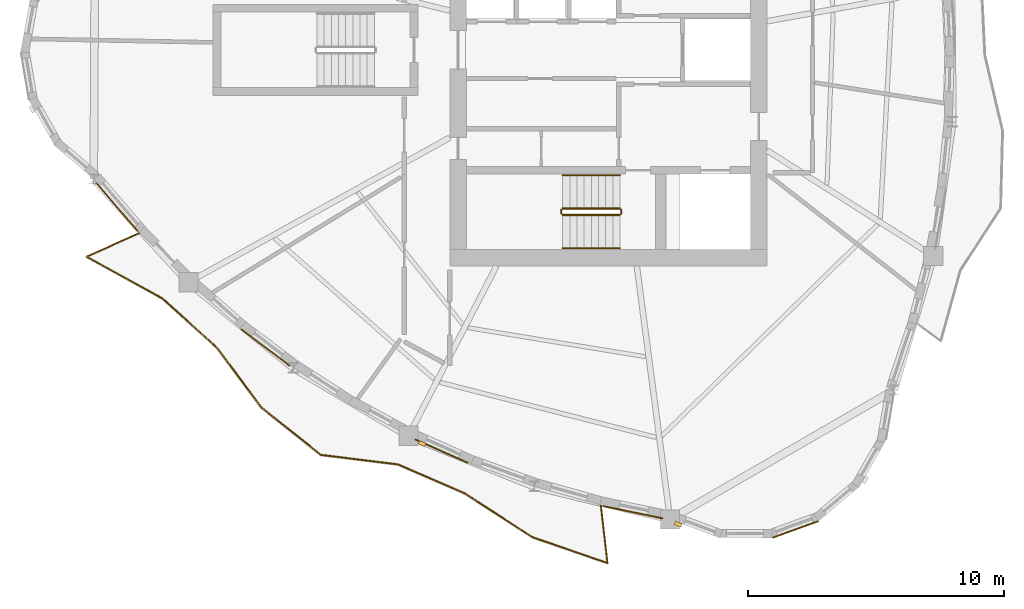
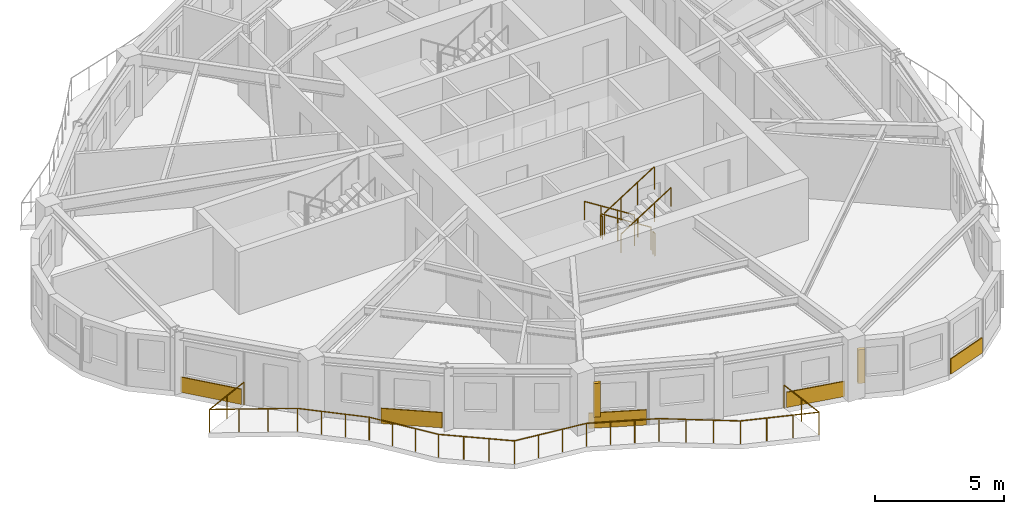
# One storey, part 9 of 12: 7 railings, 5 coverings, 2 shading devices.
"""IFC4 building model written with IfcOpenShell, lengths in metres."""

from ifc_helpers import new_model, si_unit, direction, frame, origin, origin_2d, place, context, subcontext, project, spatial, rectangle, circle, extrude, source, transform, mapped, material, layer, layer_set, type_object, element, save


model = new_model("IFC4")

# Units and contexts
model_context = context("Model", 3, precision=1e-05, world=origin(), true_north=direction((0.0, 1.0)))
body_context = subcontext(model_context, "Body", "Model", "MODEL_VIEW")
ifc_project = project(units=[si_unit("LENGTHUNIT", "METRE"), si_unit("AREAUNIT", "SQUARE_METRE"), si_unit("VOLUMEUNIT", "CUBIC_METRE"), si_unit("PLANEANGLEUNIT", "RADIAN"), si_unit("MASSUNIT", "GRAM", prefix="KILO")], contexts=[model_context])

# Site, building, storey
site_placement = place(None, origin())
site = spatial("IfcSite", under=ifc_project, at=site_placement, CompositionType="ELEMENT")
building_placement = place(site_placement, origin())
building = spatial("IfcBuilding", under=site, at=building_placement, Name="Qafzar Sky-Pleat Residences", CompositionType="ELEMENT")
storey_placement = place(building_placement, frame((0.0, 0.0, 177.800048828125)))
storey = spatial("IfcBuildingStorey", under=building, at=storey_placement, Name="L53", CompositionType="ELEMENT", Elevation=177.800048828125)

# Shading devices
ifc_material_1 = material(Name="Honed Riyadh limestone solar fin", Category="masonry")
ifc_layer_1 = layer(ifc_material_1, 0.139892578125)
ifc_layer_set_1 = layer_set([ifc_layer_1], Name="Honed Riyadh limestone solar fin")
shading_device_type = type_object("IfcShadingDeviceType", Name="SHD-FIN-STONE", PredefinedType="SHUTTER", material=ifc_layer_set_1)
shared_shape_1 = source(origin(), body_context, "Body", "SweptSolid", [
    extrude(rectangle(XDim=0.139892578125, YDim=0.280029296875, at=origin_2d()), origin(), (0.0, 0.0, 1.0), 1.60009765625),
])
for number, where, z_axis, x_axis, name in (
    (1, (23.06689453125, 10.6083984375, 0.599853515625), (0.0, 0.0, 1.0), (-0.407572231376, -0.913172971683, 0.0), "L53 Limestone Solar Fin 13"),
    (2, (33.074462890625, 7.46435546875, 0.599853515625), (0.0, 0.0, 1.0), (-0.349602764616, -0.936898023785, 0.0), "L53 Limestone Solar Fin 17"),
):
    element("IfcShadingDevice", number, at=place(storey_placement, frame(where, z_axis=z_axis, x_axis=x_axis)), inside=storey, type_object=shading_device_type, Name=name, PredefinedType="SHUTTER", context=body_context, shape_type="MappedRepresentation", body=[
        mapped(shared_shape_1, transform((0.0, 0.0, 0.0), x_axis=(1.0, 0.0, 0.0), y_axis=(0.0, 1.0, 0.0), z_axis=(0.0, 0.0, 1.0), scale=1.0)),
    ])

# Covering
ifc_material_2 = material(Name="Honed Riyadh Tuwaiq limestone cladding", Category="masonry")
ifc_layer_2 = layer(ifc_material_2, 0.044921875)
ifc_layer_set_2 = layer_set([ifc_layer_2], Name="Honed Riyadh Tuwaiq limestone cladding")
covering_type = type_object("IfcCoveringType", Name="COV-CLAD-STONE", PredefinedType="CLADDING", material=ifc_layer_set_2)
shared_shape_2 = source(origin(), body_context, "Body", "SweptSolid", [
    extrude(rectangle(XDim=1.89794921875, YDim=0.044921875, at=origin_2d()), origin(), (0.0, 0.0, 1.0), 0.719970703125),
])
covering_1_placement = place(storey_placement, frame((37.662353515625, 7.255126953125, 0.02001953125), z_axis=(0.0, 0.0, 1.0), x_axis=(0.940237058311, 0.340520592886, 0.0)))
element("IfcCovering", 3, at=covering_1_placement, inside=storey, type_object=covering_type, Name="L53 Riyadh Limestone Spandrel Cladding 19", PredefinedType="CLADDING", context=body_context, shape_type="MappedRepresentation", body=[
    mapped(shared_shape_2, transform((0.0, 0.0, 0.0), x_axis=(1.0, 0.0, 0.0), y_axis=(0.0, 1.0, 0.0), z_axis=(0.0, 0.0, 1.0), scale=1.0)),
])

# Railing
ifc_material_3 = material(Name="Laminated glass and bronze steel balustrade", Category="steel")
railing_type_1 = type_object("IfcRailingType", Name="RAIL-BAL-1100", PredefinedType="BALUSTRADE", material=ifc_material_3)
shared_shape_3 = source(origin(), body_context, "Body", "SweptSolid", [
    extrude(circle(Radius=0.02392578125, at=origin_2d()), frame((0.0, 0.0, 1.076171875), z_axis=(-0.912628302889, -0.408790387321, 0.0), x_axis=(0.408790387321, -0.912628302889, 0.0)), (0.0, 0.0, 1.0), 2.270751953125),
    extrude(circle(Radius=0.02392578125, at=origin_2d()), frame((-2.072265625, -0.92822265625, 1.076171875), z_axis=(0.876088688063, -0.482149987709, 0.0), x_axis=(0.482149987709, 0.876088688063, 0.0)), (0.0, 0.0, 1.0), 3.404296875),
    extrude(circle(Radius=0.02392578125, at=origin_2d()), frame((0.91015625, -2.569580078125, 1.076171875), z_axis=(0.742479428392, -0.669868866581, 0.0), x_axis=(0.669868866581, 0.742479428392, 0.0)), (0.0, 0.0, 1.0), 2.847900390625),
    extrude(circle(Radius=0.02392578125, at=origin_2d()), frame((3.024658203125, -4.477294921875, 1.076171875), z_axis=(0.596314764926, -0.802750709206, 0.0), x_axis=(0.802750709206, 0.596314764926, 0.0)), (0.0, 0.0, 1.0), 2.919921875),
    extrude(circle(Radius=0.02392578125, at=origin_2d()), frame((4.765869140625, -6.8212890625, 1.076171875), z_axis=(0.782537513301, -0.622603437411, 0.0), x_axis=(0.622603437411, 0.782537513301, 0.0)), (0.0, 0.0, 1.0), 2.978271484375),
    extrude(circle(Radius=0.02392578125, at=origin_2d()), frame((7.096435546875, -8.675537109375, 1.076171875), z_axis=(0.992462216808, -0.12255100248, 0.0), x_axis=(0.12255100248, 0.992462216808, 0.0)), (0.0, 0.0, 1.0), 3.0380859375),
    extrude(circle(Radius=0.02392578125, at=origin_2d()), frame((10.111572265625, -9.0478515625, 1.076171875), z_axis=(0.917327123061, -0.398134335742, 0.0), x_axis=(0.398134335742, 0.917327123061, 0.0)), (0.0, 0.0, 1.0), 2.8212890625),
    extrude(circle(Radius=0.02392578125, at=origin_2d()), frame((12.69970703125, -10.171142578125, 1.076171875), z_axis=(0.839716807714, -0.54302456928, 0.0), x_axis=(0.54302456928, 0.839716807714, 0.0)), (0.0, 0.0, 1.0), 3.170654296875),
    extrude(circle(Radius=0.02392578125, at=origin_2d()), frame((15.362060546875, -11.892822265625, 1.076171875), z_axis=(0.945528451343, -0.325539471802, 0.0), x_axis=(0.325539471802, 0.945528451343, 0.0)), (0.0, 0.0, 1.0), 3.101806640625),
    extrude(circle(Radius=0.02392578125, at=origin_2d()), frame((18.294921875, -12.902587890625, 1.076171875), z_axis=(-0.114701632597, 0.993399987658, 0.0), x_axis=(-0.993399987658, -0.114701632597, 0.0)), (0.0, 0.0, 1.0), 2.27099609375),
    extrude(circle(Radius=0.02099609375, at=origin_2d()), origin(), (0.0, 0.0, 1.0), 1.052001953125),
    extrude(circle(Radius=0.02099609375, at=origin_2d()), frame((-1.0361328125, -0.464111328125, 0.0)), (0.0, 0.0, 1.0), 1.052001953125),
    extrude(circle(Radius=0.02099609375, at=origin_2d()), frame((-2.072265625, -0.92822265625, 0.0)), (0.0, 0.0, 1.0), 1.052001953125),
    extrude(circle(Radius=0.02099609375, at=origin_2d()), frame((-1.078125, -1.475341796875, 0.0)), (0.0, 0.0, 1.0), 1.052001953125),
    extrude(circle(Radius=0.02099609375, at=origin_2d()), frame((-0.083984375, -2.0224609375, 0.0)), (0.0, 0.0, 1.0), 1.052001953125),
    extrude(circle(Radius=0.02099609375, at=origin_2d()), frame((0.91015625, -2.569580078125, 0.0)), (0.0, 0.0, 1.0), 1.052001953125),
    extrude(circle(Radius=0.02099609375, at=origin_2d()), frame((1.614990234375, -3.20556640625, 0.0)), (0.0, 0.0, 1.0), 1.052001953125),
    extrude(circle(Radius=0.02099609375, at=origin_2d()), frame((2.31982421875, -3.84130859375, 0.0)), (0.0, 0.0, 1.0), 1.052001953125),
    extrude(circle(Radius=0.02099609375, at=origin_2d()), frame((3.024658203125, -4.477294921875, 0.0)), (0.0, 0.0, 1.0), 1.052001953125),
    extrude(circle(Radius=0.02099609375, at=origin_2d()), frame((3.60498046875, -5.258544921875, 0.0)), (0.0, 0.0, 1.0), 1.052001953125),
    extrude(circle(Radius=0.02099609375, at=origin_2d()), frame((4.185546875, -6.0400390625, 0.0)), (0.0, 0.0, 1.0), 1.052001953125),
    extrude(circle(Radius=0.02099609375, at=origin_2d()), frame((4.765869140625, -6.8212890625, 0.0)), (0.0, 0.0, 1.0), 1.052001953125),
    extrude(circle(Radius=0.02099609375, at=origin_2d()), frame((5.542724609375, -7.439453125, 0.0)), (0.0, 0.0, 1.0), 1.052001953125),
    extrude(circle(Radius=0.02099609375, at=origin_2d()), frame((6.319580078125, -8.057373046875, 0.0)), (0.0, 0.0, 1.0), 1.052001953125),
    extrude(circle(Radius=0.02099609375, at=origin_2d()), frame((7.096435546875, -8.675537109375, 0.0)), (0.0, 0.0, 1.0), 1.052001953125),
    extrude(circle(Radius=0.02099609375, at=origin_2d()), frame((8.1015625, -8.799560546875, 0.0)), (0.0, 0.0, 1.0), 1.052001953125),
    extrude(circle(Radius=0.02099609375, at=origin_2d()), frame((9.1064453125, -8.923828125, 0.0)), (0.0, 0.0, 1.0), 1.052001953125),
    extrude(circle(Radius=0.02099609375, at=origin_2d()), frame((10.111572265625, -9.0478515625, 0.0)), (0.0, 0.0, 1.0), 1.052001953125),
    extrude(circle(Radius=0.02099609375, at=origin_2d()), frame((10.974365234375, -9.42236328125, 0.0)), (0.0, 0.0, 1.0), 1.052001953125),
    extrude(circle(Radius=0.02099609375, at=origin_2d()), frame((11.8369140625, -9.796630859375, 0.0)), (0.0, 0.0, 1.0), 1.052001953125),
    extrude(circle(Radius=0.02099609375, at=origin_2d()), frame((12.69970703125, -10.171142578125, 0.0)), (0.0, 0.0, 1.0), 1.052001953125),
    extrude(circle(Radius=0.02099609375, at=origin_2d()), frame((13.587158203125, -10.7451171875, 0.0)), (0.0, 0.0, 1.0), 1.052001953125),
    extrude(circle(Radius=0.02099609375, at=origin_2d()), frame((14.474609375, -11.31884765625, 0.0)), (0.0, 0.0, 1.0), 1.052001953125),
    extrude(circle(Radius=0.02099609375, at=origin_2d()), frame((15.362060546875, -11.892822265625, 0.0)), (0.0, 0.0, 1.0), 1.052001953125),
    extrude(circle(Radius=0.02099609375, at=origin_2d()), frame((16.339599609375, -12.2294921875, 0.0)), (0.0, 0.0, 1.0), 1.052001953125),
    extrude(circle(Radius=0.02099609375, at=origin_2d()), frame((17.3173828125, -12.56591796875, 0.0)), (0.0, 0.0, 1.0), 1.052001953125),
    extrude(circle(Radius=0.02099609375, at=origin_2d()), frame((18.294921875, -12.902587890625, 0.0)), (0.0, 0.0, 1.0), 1.052001953125),
    extrude(circle(Radius=0.02099609375, at=origin_2d()), frame((18.16455078125, -11.7744140625, 0.0)), (0.0, 0.0, 1.0), 1.052001953125),
    extrude(circle(Radius=0.02099609375, at=origin_2d()), frame((18.034423828125, -10.646484375, 0.0)), (0.0, 0.0, 1.0), 1.052001953125),
])
railing_1_placement = place(storey_placement, frame((12.021484375, 18.844482421875, 0.0)))
element("IfcRailing", 4, at=railing_1_placement, inside=storey, type_object=railing_type_1, Name="L53 Pleated Balcony 3 Balustrade", PredefinedType="BALUSTRADE", context=body_context, shape_type="MappedRepresentation", body=[
    mapped(shared_shape_3, transform((0.0, 0.0, 0.0), x_axis=(1.0, 0.0, 0.0), y_axis=(0.0, 1.0, 0.0), z_axis=(0.0, 0.0, 1.0), scale=1.0)),
])

# Coverings
shared_shape_4 = source(origin(), body_context, "Body", "SweptSolid", [
    extrude(rectangle(XDim=2.50439453125, YDim=0.044921875, at=origin_2d()), origin(), (0.0, 0.0, 1.0), 0.719970703125),
])
covering_2_placement = place(storey_placement, frame((11.1357421875, 19.863037109375, 0.02001953125), z_axis=(0.0, 0.0, 1.0), x_axis=(0.650294051701, -0.759682595774, 0.0)))
element("IfcCovering", 5, at=covering_2_placement, inside=storey, type_object=covering_type, Name="L53 Riyadh Limestone Spandrel Cladding 7", PredefinedType="CLADDING", context=body_context, shape_type="MappedRepresentation", body=[
    mapped(shared_shape_4, transform((0.0, 0.0, 0.0), x_axis=(1.0, 0.0, 0.0), y_axis=(0.0, 1.0, 0.0), z_axis=(0.0, 0.0, 1.0), scale=1.0)),
])
shared_shape_5 = source(origin(), body_context, "Body", "SweptSolid", [
    extrude(rectangle(XDim=2.385986328125, YDim=0.044921875, at=origin_2d()), origin(), (0.0, 0.0, 1.0), 0.719970703125),
])
covering_3_placement = place(storey_placement, frame((16.94580078125, 14.36865234375, 0.02001953125), z_axis=(0.0, 0.0, 1.0), x_axis=(0.797990277457, -0.602670322053, 0.0)))
element("IfcCovering", 6, at=covering_3_placement, inside=storey, type_object=covering_type, Name="L53 Riyadh Limestone Spandrel Cladding 10", PredefinedType="CLADDING", context=body_context, shape_type="MappedRepresentation", body=[
    mapped(shared_shape_5, transform((0.0, 0.0, 0.0), x_axis=(1.0, 0.0, 0.0), y_axis=(0.0, 1.0, 0.0), z_axis=(0.0, 0.0, 1.0), scale=1.0)),
])
shared_shape_6 = source(origin(), body_context, "Body", "SweptSolid", [
    extrude(rectangle(XDim=2.25537109375, YDim=0.044921875, at=origin_2d()), origin(), (0.0, 0.0, 1.0), 0.719970703125),
])
covering_4_placement = place(storey_placement, frame((23.82421875, 10.317626953125, 0.02001953125), z_axis=(0.0, 0.0, 1.0), x_axis=(0.913162019486, -0.407596769085, 0.0)))
element("IfcCovering", 7, at=covering_4_placement, inside=storey, type_object=covering_type, Name="L53 Riyadh Limestone Spandrel Cladding 13", PredefinedType="CLADDING", context=body_context, shape_type="MappedRepresentation", body=[
    mapped(shared_shape_6, transform((0.0, 0.0, 0.0), x_axis=(1.0, 0.0, 0.0), y_axis=(0.0, 1.0, 0.0), z_axis=(0.0, 0.0, 1.0), scale=1.0)),
])
shared_shape_7 = source(origin(), body_context, "Body", "SweptSolid", [
    extrude(rectangle(XDim=2.373779296875, YDim=0.044921875, at=origin_2d()), origin(), (0.0, 0.0, 1.0), 0.719970703125),
])
covering_5_placement = place(storey_placement, frame((31.30419921875, 7.92919921875, 0.02001953125), z_axis=(0.0, 0.0, 1.0), x_axis=(0.979315630611, -0.202338566865, 0.0)))
element("IfcCovering", 8, at=covering_5_placement, inside=storey, type_object=covering_type, Name="L53 Riyadh Limestone Spandrel Cladding 16", PredefinedType="CLADDING", context=body_context, shape_type="MappedRepresentation", body=[
    mapped(shared_shape_7, transform((0.0, 0.0, 0.0), x_axis=(1.0, 0.0, 0.0), y_axis=(0.0, 1.0, 0.0), z_axis=(0.0, 0.0, 1.0), scale=1.0)),
])

# Railings
ifc_material_4 = material(Name="Painted Steel S355 stair guardrail", Category="steel")
railing_type_2 = type_object("IfcRailingType", Name="RAIL-STAIR-GUARD", PredefinedType="GUARDRAIL", material=ifc_material_4)
shared_shape_8 = source(origin(), body_context, "Body", "SweptSolid", [
    extrude(circle(Radius=0.02392578125, at=origin_2d()), frame((0.0, 0.0, 1.076171875), z_axis=(0.0, -1.0, 0.0), x_axis=(1.0, 0.0, 0.0)), (0.0, 0.0, 1.0), 0.14990234375),
    extrude(circle(Radius=0.02099609375, at=origin_2d()), origin(), (0.0, 0.0, 1.0), 1.052001953125),
    extrude(circle(Radius=0.02099609375, at=origin_2d()), frame((0.0, -0.14990234375, 0.0)), (0.0, 0.0, 1.0), 1.052001953125),
])
for number, where, name in (
    (9, (28.510009765625, 19.75, 1.599853515625), "L53 ST1 stair guard 2"),
    (10, (30.85009765625, 19.75, 0.0), "L53 ST1 stair guard 4"),
):
    element("IfcRailing", number, at=place(storey_placement, frame(where)), inside=storey, type_object=railing_type_2, Name=name, PredefinedType="GUARDRAIL", context=body_context, shape_type="MappedRepresentation", body=[
        mapped(shared_shape_8, transform((0.0, 0.0, 0.0), x_axis=(1.0, 0.0, 0.0), y_axis=(0.0, 1.0, 0.0), z_axis=(0.0, 0.0, 1.0), scale=1.0)),
    ])
shared_shape_9 = source(origin(), body_context, "Body", "SweptSolid", [
    extrude(circle(Radius=0.02392578125, at=origin_2d()), frame((0.0, 0.0, 1.076171875), z_axis=(-0.8442293374, 0.0, 0.53598211339), x_axis=(0.0, -1.0, 0.0)), (0.0, 0.0, 1.0), 2.6533203125),
    extrude(circle(Radius=0.02099609375, at=origin_2d()), origin(), (0.0, 0.0, 1.0), 1.052001953125),
    extrude(circle(Radius=0.02099609375, at=origin_2d()), frame((-0.74658203125, 0.0, 0.47412109375)), (0.0, 0.0, 1.0), 1.052001953125),
    extrude(circle(Radius=0.02099609375, at=origin_2d()), frame((-1.493408203125, 0.0, 0.947998046875)), (0.0, 0.0, 1.0), 1.052001953125),
    extrude(circle(Radius=0.02099609375, at=origin_2d()), frame((-2.239990234375, 0.0, 1.422119140625)), (0.0, 0.0, 1.0), 1.052001953125),
])
railing_2_placement = place(storey_placement, frame((30.800048828125, 19.800048828125, 0.177734375)))
element("IfcRailing", 11, at=railing_2_placement, inside=storey, type_object=railing_type_2, Name="L53 ST1 stair guard 1", PredefinedType="GUARDRAIL", context=body_context, shape_type="MappedRepresentation", body=[
    mapped(shared_shape_9, transform((0.0, 0.0, 0.0), x_axis=(1.0, 0.0, 0.0), y_axis=(0.0, 1.0, 0.0), z_axis=(0.0, 0.0, 1.0), scale=1.0)),
])
shared_shape_10 = source(origin(), body_context, "Body", "SweptSolid", [
    extrude(circle(Radius=0.02392578125, at=origin_2d()), frame((0.0, 0.0, 1.076171875), z_axis=(0.8442293374, 0.0, 0.53598211339), x_axis=(0.0, 1.0, 0.0)), (0.0, 0.0, 1.0), 2.6533203125),
    extrude(circle(Radius=0.02099609375, at=origin_2d()), origin(), (0.0, 0.0, 1.0), 1.052001953125),
    extrude(circle(Radius=0.02099609375, at=origin_2d()), frame((0.74658203125, 0.0, 0.47412109375)), (0.0, 0.0, 1.0), 1.052001953125),
    extrude(circle(Radius=0.02099609375, at=origin_2d()), frame((1.493408203125, 0.0, 0.947998046875)), (0.0, 0.0, 1.0), 1.052001953125),
    extrude(circle(Radius=0.02099609375, at=origin_2d()), frame((2.239990234375, 0.0, 1.422119140625)), (0.0, 0.0, 1.0), 1.052001953125),
])
railing_3_placement = place(storey_placement, frame((28.56005859375, 19.550048828125, 1.77783203125)))
element("IfcRailing", 12, at=railing_3_placement, inside=storey, type_object=railing_type_2, Name="L53 ST1 stair guard 3", PredefinedType="GUARDRAIL", context=body_context, shape_type="MappedRepresentation", body=[
    mapped(shared_shape_10, transform((0.0, 0.0, 0.0), x_axis=(1.0, 0.0, 0.0), y_axis=(0.0, 1.0, 0.0), z_axis=(0.0, 0.0, 1.0), scale=1.0)),
])
ifc_material_5 = material(Name="Brushed stainless steel handrail", Category="steel")
railing_type_3 = type_object("IfcRailingType", Name="RAIL-STAIR-HAND", PredefinedType="HANDRAIL", material=ifc_material_5)
shared_shape_11 = source(origin(), body_context, "Body", "SweptSolid", [
    extrude(circle(Radius=0.02392578125, at=origin_2d()), frame((0.0, 0.0, 0.8759765625), z_axis=(-0.8442293374, 0.0, 0.53598211339), x_axis=(0.0, -1.0, 0.0)), (0.0, 0.0, 1.0), 2.6533203125),
    extrude(circle(Radius=0.02099609375, at=origin_2d()), origin(), (0.0, 0.0, 1.0), 0.851806640625),
    extrude(circle(Radius=0.02099609375, at=origin_2d()), frame((-0.74658203125, 0.0, 0.47412109375)), (0.0, 0.0, 1.0), 0.851806640625),
    extrude(circle(Radius=0.02099609375, at=origin_2d()), frame((-1.493408203125, 0.0, 0.947998046875)), (0.0, 0.0, 1.0), 0.851806640625),
    extrude(circle(Radius=0.02099609375, at=origin_2d()), frame((-2.239990234375, 0.0, 1.422119140625)), (0.0, 0.0, 1.0), 0.851806640625),
])
railing_4_placement = place(storey_placement, frame((30.800048828125, 21.10009765625, 0.177734375)))
element("IfcRailing", 13, at=railing_4_placement, inside=storey, type_object=railing_type_3, Name="L53 ST1 stair handrail 1", PredefinedType="HANDRAIL", context=body_context, shape_type="MappedRepresentation", body=[
    mapped(shared_shape_11, transform((0.0, 0.0, 0.0), x_axis=(1.0, 0.0, 0.0), y_axis=(0.0, 1.0, 0.0), z_axis=(0.0, 0.0, 1.0), scale=1.0)),
])
shared_shape_12 = source(origin(), body_context, "Body", "SweptSolid", [
    extrude(circle(Radius=0.02392578125, at=origin_2d()), frame((0.0, 0.0, 0.8759765625), z_axis=(0.8442293374, 0.0, 0.53598211339), x_axis=(0.0, 1.0, 0.0)), (0.0, 0.0, 1.0), 2.6533203125),
    extrude(circle(Radius=0.02099609375, at=origin_2d()), origin(), (0.0, 0.0, 1.0), 0.851806640625),
    extrude(circle(Radius=0.02099609375, at=origin_2d()), frame((0.74658203125, 0.0, 0.47412109375)), (0.0, 0.0, 1.0), 0.851806640625),
    extrude(circle(Radius=0.02099609375, at=origin_2d()), frame((1.493408203125, 0.0, 0.947998046875)), (0.0, 0.0, 1.0), 0.851806640625),
    extrude(circle(Radius=0.02099609375, at=origin_2d()), frame((2.239990234375, 0.0, 1.422119140625)), (0.0, 0.0, 1.0), 0.851806640625),
])
railing_5_placement = place(storey_placement, frame((28.56005859375, 18.25, 1.77783203125)))
element("IfcRailing", 14, at=railing_5_placement, inside=storey, type_object=railing_type_3, Name="L53 ST1 stair handrail 2", PredefinedType="HANDRAIL", context=body_context, shape_type="MappedRepresentation", body=[
    mapped(shared_shape_12, transform((0.0, 0.0, 0.0), x_axis=(1.0, 0.0, 0.0), y_axis=(0.0, 1.0, 0.0), z_axis=(0.0, 0.0, 1.0), scale=1.0)),
])

save(model, "model.ifc")
